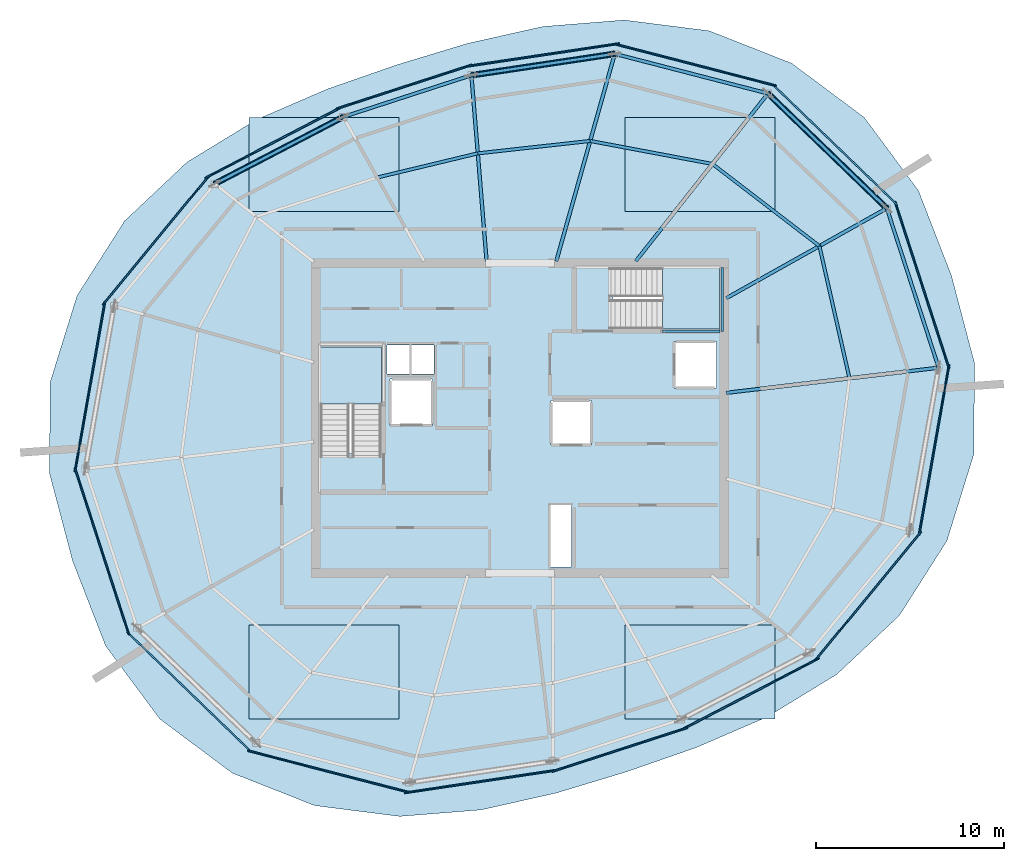
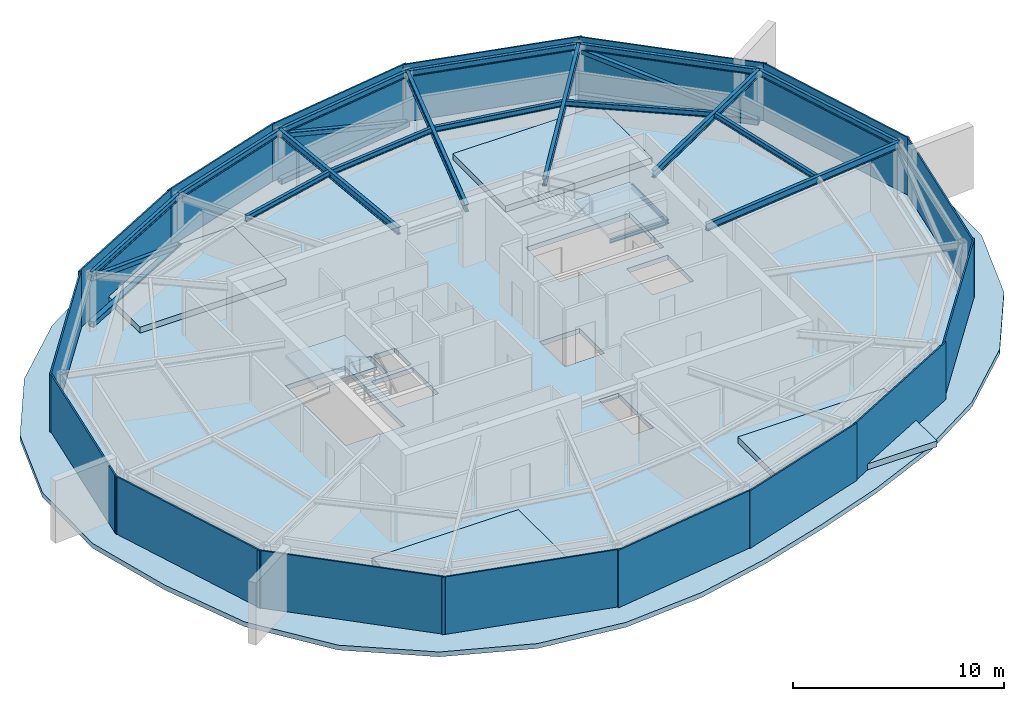
# One storey, part 5 of 10: 18 beams, 16 plates, 7 slabs, 6 members, 2 elements without a shape of their own.
"""IFC4 building model written with IfcOpenShell, lengths in metres."""

from ifc_helpers import new_model, si_unit, direction, frame, origin, origin_2d, place, context, subcontext, project, spatial, polyline, rectangle, hollow_rectangle, i_section, outline, extrude, material, layer, layer_set, material_profile, profile_set, type_object, element, aggregate, save


model = new_model("IFC4")

# Units and contexts
model_context = context("Model", 3, precision=1e-05, world=origin(), true_north=direction((0.0, 1.0)))
body_context = subcontext(model_context, "Body", "Model", "MODEL_VIEW")
ifc_project = project(units=[si_unit("LENGTHUNIT", "METRE"), si_unit("AREAUNIT", "SQUARE_METRE"), si_unit("VOLUMEUNIT", "CUBIC_METRE"), si_unit("PLANEANGLEUNIT", "RADIAN"), si_unit("MASSUNIT", "GRAM", prefix="KILO")], contexts=[model_context])

# Site, building, storey
site_placement = place(None, origin())
site = spatial("IfcSite", under=ifc_project, at=site_placement, CompositionType="ELEMENT")
building_placement = place(site_placement, origin())
building = spatial("IfcBuilding", under=site, at=building_placement, Name="Kazma Halo Residences", CompositionType="ELEMENT")
storey_placement = place(building_placement, frame((0.0, 0.0, 359.60009765625)))
storey = spatial("IfcBuildingStorey", under=building, at=storey_placement, Name="L90", CompositionType="ELEMENT", Elevation=359.60009765625)

# Beams
ifc_material_1 = material(Name="Steel S355", Category="steel")
ifc_material_profile_1 = material_profile(ifc_material_1, i_section(OverallWidth=0.177978515625, OverallDepth=0.406982421875, WebThickness=0.0078125, FlangeThickness=0.0126953125, FilletRadius=0.013916015625, at=origin_2d()), Name="W410x60")
ifc_profile_set_1 = profile_set([ifc_material_profile_1], Name="Steel S355")
beam_type_1 = type_object("IfcBeamType", Name="BM-RAD-W410", PredefinedType="BEAM", material=ifc_profile_set_1)
beam_1_placement = place(storey_placement, frame((59.39990234375, 48.38427734375, 3.116455078125), z_axis=(0.872500487018, 0.488613241894, 0.0), x_axis=(-0.488613241894, 0.872500487018, 0.0)))
element("IfcBeam", 1, at=beam_1_placement, inside=storey, type_object=beam_type_1, Name="L90 radial floor beam 01", PredefinedType="BEAM", context=body_context, shape_type="SweptSolid", body=[
    extrude(i_section(OverallWidth=0.177978515625, OverallDepth=0.406982421875, WebThickness=0.0078125, FlangeThickness=0.0126953125, FilletRadius=0.013916015625, at=origin_2d()), origin(), (0.0, 0.0, 1.0), 9.788818359375),
])
beam_2_placement = place(storey_placement, frame((54.58251953125, 50.35009765625, 3.116455078125), z_axis=(0.619100773028, 0.785311551447, 0.0), x_axis=(-0.785311551447, 0.619100773028, 0.0)))
element("IfcBeam", 2, at=beam_2_placement, inside=storey, type_object=beam_type_1, Name="L90 radial floor beam 02", PredefinedType="BEAM", context=body_context, shape_type="SweptSolid", body=[
    extrude(i_section(OverallWidth=0.177978515625, OverallDepth=0.406982421875, WebThickness=0.0078125, FlangeThickness=0.0126953125, FilletRadius=0.013916015625, at=origin_2d()), origin(), (0.0, 0.0, 1.0), 11.363037109375),
])
beam_3_placement = place(storey_placement, frame((50.35498046875, 50.35009765625, 3.116455078125), z_axis=(0.271433859027, 0.962457095238, 0.0), x_axis=(-0.962457095238, 0.271433859027, 0.0)))
element("IfcBeam", 3, at=beam_3_placement, inside=storey, type_object=beam_type_1, Name="L90 radial floor beam 03", PredefinedType="BEAM", context=body_context, shape_type="SweptSolid", body=[
    extrude(i_section(OverallWidth=0.177978515625, OverallDepth=0.406982421875, WebThickness=0.0078125, FlangeThickness=0.0126953125, FilletRadius=0.013916015625, at=origin_2d()), origin(), (0.0, 0.0, 1.0), 11.462646484375),
])
beam_4_placement = place(storey_placement, frame((46.64990234375, 50.35009765625, 3.116455078125), z_axis=(-0.081506605081, 0.996672801539, 0.0), x_axis=(-0.996672801539, -0.081506605081, 0.0)))
element("IfcBeam", 4, at=beam_4_placement, inside=storey, type_object=beam_type_1, Name="L90 radial floor beam 04", PredefinedType="BEAM", context=body_context, shape_type="SweptSolid", body=[
    extrude(i_section(OverallWidth=0.177978515625, OverallDepth=0.406982421875, WebThickness=0.0078125, FlangeThickness=0.0126953125, FilletRadius=0.013916015625, at=origin_2d()), origin(), (0.0, 0.0, 1.0), 9.926513671875),
])
beam_5_placement = place(storey_placement, frame((59.39990234375, 43.349365234375, 3.116455078125), z_axis=(0.993069497533, 0.117528605327, 0.0), x_axis=(-0.117528605327, 0.993069497533, 0.0)))
element("IfcBeam", 5, at=beam_5_placement, inside=storey, type_object=beam_type_1, Name="L90 radial floor beam 16", PredefinedType="BEAM", context=body_context, shape_type="SweptSolid", body=[
    extrude(i_section(OverallWidth=0.177978515625, OverallDepth=0.406982421875, WebThickness=0.0078125, FlangeThickness=0.0126953125, FilletRadius=0.013916015625, at=origin_2d()), origin(), (0.0, 0.0, 1.0), 11.375244140625),
])
ifc_material_profile_2 = material_profile(ifc_material_1, i_section(OverallWidth=0.1650390625, OverallDepth=0.31005859375, WebThickness=0.005859375, FlangeThickness=0.009765625, FilletRadius=0.011962890625, at=origin_2d()), Name="W310x38.7")
ifc_profile_set_2 = profile_set([ifc_material_profile_2], Name="Steel S355")
beam_type_2 = type_object("IfcBeamType", Name="BM-SEC-W310B", PredefinedType="JOIST", material=ifc_profile_set_2)
beam_6_placement = place(storey_placement, frame((64.353515625, 51.158447265625, 3.164794921875), z_axis=(-0.793314295729, 0.608812309494, 0.0), x_axis=(-0.608812309494, -0.793314295729, 0.0)))
element("IfcBeam", 6, at=beam_6_placement, inside=storey, type_object=beam_type_2, Name="L90 circumferential floor joist 01", PredefinedType="JOIST", context=body_context, shape_type="SweptSolid", body=[
    extrude(i_section(OverallWidth=0.1650390625, OverallDepth=0.31005859375, WebThickness=0.005859375, FlangeThickness=0.009765625, FilletRadius=0.011962890625, at=origin_2d()), origin(), (0.0, 0.0, 1.0), 7.17333984375),
])
beam_7_placement = place(storey_placement, frame((58.662841796875, 55.525634765625, 3.164794921875), z_axis=(-0.982768028721, 0.184843181435, 0.0), x_axis=(-0.184843181435, -0.982768028721, 0.0)))
element("IfcBeam", 7, at=beam_7_placement, inside=storey, type_object=beam_type_2, Name="L90 circumferential floor joist 02", PredefinedType="JOIST", context=body_context, shape_type="SweptSolid", body=[
    extrude(i_section(OverallWidth=0.1650390625, OverallDepth=0.31005859375, WebThickness=0.005859375, FlangeThickness=0.009765625, FilletRadius=0.011962890625, at=origin_2d()), origin(), (0.0, 0.0, 1.0), 6.6171875),
])
beam_8_placement = place(storey_placement, frame((52.15966796875, 56.748779296875, 3.164794921875), z_axis=(-0.993955293014, -0.109785588714, 0.0), x_axis=(0.109785588714, -0.993955293014, 0.0)))
element("IfcBeam", 8, at=beam_8_placement, inside=storey, type_object=beam_type_2, Name="L90 circumferential floor joist 03", PredefinedType="JOIST", context=body_context, shape_type="SweptSolid", body=[
    extrude(i_section(OverallWidth=0.1650390625, OverallDepth=0.31005859375, WebThickness=0.005859375, FlangeThickness=0.009765625, FilletRadius=0.011962890625, at=origin_2d()), origin(), (0.0, 0.0, 1.0), 6.015380859375),
])
beam_9_placement = place(storey_placement, frame((46.1806640625, 56.08837890625, 3.164794921875), z_axis=(-0.972370386067, -0.233443424194, 0.0), x_axis=(0.233443424194, -0.972370386067, 0.0)))
element("IfcBeam", 9, at=beam_9_placement, inside=storey, type_object=beam_type_2, Name="L90 circumferential floor joist 04", PredefinedType="JOIST", context=body_context, shape_type="SweptSolid", body=[
    extrude(i_section(OverallWidth=0.1650390625, OverallDepth=0.31005859375, WebThickness=0.005859375, FlangeThickness=0.009765625, FilletRadius=0.011962890625, at=origin_2d()), origin(), (0.0, 0.0, 1.0), 5.503173828125),
])
beam_10_placement = place(storey_placement, frame((65.951904296875, 44.124755859375, 3.164794921875), z_axis=(-0.221597696416, 0.975138175308, 0.0), x_axis=(-0.975138175308, -0.221597696416, 0.0)))
element("IfcBeam", 10, at=beam_10_placement, inside=storey, type_object=beam_type_2, Name="L90 circumferential floor joist 16", PredefinedType="JOIST", context=body_context, shape_type="SweptSolid", body=[
    extrude(i_section(OverallWidth=0.1650390625, OverallDepth=0.31005859375, WebThickness=0.005859375, FlangeThickness=0.009765625, FilletRadius=0.011962890625, at=origin_2d()), origin(), (0.0, 0.0, 1.0), 7.213134765625),
])
ifc_material_profile_3 = material_profile(ifc_material_1, i_section(OverallWidth=0.1708984375, OverallDepth=0.35498046875, WebThickness=0.007080078125, FlangeThickness=0.01171875, FilletRadius=0.013916015625, at=origin_2d()), Name="W360x51")
ifc_profile_set_3 = profile_set([ifc_material_profile_3], Name="Steel S355")
beam_type_3 = type_object("IfcBeamType", Name="BM-SPN-W360", PredefinedType="BEAM", material=ifc_profile_set_3)
beam_11_placement = place(storey_placement, frame((67.940673828125, 53.167236328125, 3.142333984375), z_axis=(-0.719330630477, 0.694667866003, 0.0), x_axis=(-0.694667866003, -0.719330630477, 0.0)))
element("IfcBeam", 11, at=beam_11_placement, inside=storey, type_object=beam_type_3, Name="L90 CROWN FRAME ring beam 01", PredefinedType="BEAM", context=body_context, shape_type="SweptSolid", body=[
    extrude(i_section(OverallWidth=0.1708984375, OverallDepth=0.35498046875, WebThickness=0.007080078125, FlangeThickness=0.01171875, FilletRadius=0.013916015625, at=origin_2d()), origin(), (0.0, 0.0, 1.0), 8.79052734375),
])
beam_12_placement = place(storey_placement, frame((61.617431640625, 59.273681640625, 3.142333984375), z_axis=(-0.968129821283, 0.250448895271, 0.0), x_axis=(-0.250448895271, -0.968129821283, 0.0)))
element("IfcBeam", 12, at=beam_12_placement, inside=storey, type_object=beam_type_3, Name="L90 CROWN FRAME ring beam 02", PredefinedType="BEAM", context=body_context, shape_type="SweptSolid", body=[
    extrude(i_section(OverallWidth=0.1708984375, OverallDepth=0.35498046875, WebThickness=0.007080078125, FlangeThickness=0.01171875, FilletRadius=0.013916015625, at=origin_2d()), origin(), (0.0, 0.0, 1.0), 8.41943359375),
])
beam_13_placement = place(storey_placement, frame((53.46630859375, 61.38232421875, 3.142333984375), z_axis=(-0.989034152337, -0.147686984904, 0.0), x_axis=(0.147686984904, -0.989034152337, 0.0)))
element("IfcBeam", 13, at=beam_13_placement, inside=storey, type_object=beam_type_3, Name="L90 CROWN FRAME ring beam 03", PredefinedType="BEAM", context=body_context, shape_type="SweptSolid", body=[
    extrude(i_section(OverallWidth=0.1708984375, OverallDepth=0.35498046875, WebThickness=0.007080078125, FlangeThickness=0.01171875, FilletRadius=0.013916015625, at=origin_2d()), origin(), (0.0, 0.0, 1.0), 7.7099609375),
])
beam_14_placement = place(storey_placement, frame((45.8408203125, 60.24365234375, 3.142333984375), z_axis=(-0.951067102, -0.308984413026, 0.0), x_axis=(0.308984413026, -0.951067102, 0.0)))
element("IfcBeam", 14, at=beam_14_placement, inside=storey, type_object=beam_type_3, Name="L90 CROWN FRAME ring beam 04", PredefinedType="BEAM", context=body_context, shape_type="SweptSolid", body=[
    extrude(i_section(OverallWidth=0.1708984375, OverallDepth=0.35498046875, WebThickness=0.007080078125, FlangeThickness=0.01171875, FilletRadius=0.013916015625, at=origin_2d()), origin(), (0.0, 0.0, 1.0), 7.168212890625),
])
beam_15_placement = place(storey_placement, frame((39.0234375, 58.02880859375, 3.142333984375), z_axis=(-0.886940838721, -0.461883046461, 0.0), x_axis=(0.461883046461, -0.886940838721, 0.0)))
element("IfcBeam", 15, at=beam_15_placement, inside=storey, type_object=beam_type_3, Name="L90 CROWN FRAME ring beam 05", PredefinedType="BEAM", context=body_context, shape_type="SweptSolid", body=[
    extrude(i_section(OverallWidth=0.1708984375, OverallDepth=0.35498046875, WebThickness=0.007080078125, FlangeThickness=0.01171875, FilletRadius=0.013916015625, at=origin_2d()), origin(), (0.0, 0.0, 1.0), 7.71044921875),
])
beam_16_placement = place(storey_placement, frame((70.6962890625, 44.686279296875, 3.142333984375), z_axis=(-0.309015498459, 0.951057002346, 0.0), x_axis=(-0.951057002346, -0.309015498459, 0.0)))
element("IfcBeam", 16, at=beam_16_placement, inside=storey, type_object=beam_type_3, Name="L90 CROWN FRAME ring beam 16", PredefinedType="BEAM", context=body_context, shape_type="SweptSolid", body=[
    extrude(i_section(OverallWidth=0.1708984375, OverallDepth=0.35498046875, WebThickness=0.007080078125, FlangeThickness=0.01171875, FilletRadius=0.013916015625, at=origin_2d()), origin(), (0.0, 0.0, 1.0), 8.91748046875),
])
ifc_material_profile_4 = material_profile(ifc_material_1, i_section(OverallWidth=0.133056640625, OverallDepth=0.20703125, WebThickness=0.005859375, FlangeThickness=0.00830078125, FilletRadius=0.010009765625, at=origin_2d()), Name="W200x26.6")
ifc_profile_set_4 = profile_set([ifc_material_profile_4], Name="Steel S355")
beam_type_4 = type_object("IfcBeamType", Name="BM-TRIM-W200", PredefinedType="BEAM", material=ifc_profile_set_4)
beam_17_placement = place(storey_placement, frame((56.0, 46.6201171875, 1.494873046875), z_axis=(1.0, 0.0, 0.0), x_axis=(0.0, 1.0, 0.0)))
element("IfcBeam", 17, at=beam_17_placement, inside=storey, type_object=beam_type_4, Name="L90 ST-02 landing south wall ledger", PredefinedType="BEAM", context=body_context, shape_type="SweptSolid", body=[
    extrude(i_section(OverallWidth=0.133056640625, OverallDepth=0.20703125, WebThickness=0.005859375, FlangeThickness=0.00830078125, FilletRadius=0.010009765625, at=origin_2d()), origin(), (0.0, 0.0, 1.0), 3.070068359375),
])
beam_18_placement = place(storey_placement, frame((59.18994140625, 46.6201171875, 1.494873046875), z_axis=(0.0, 1.0, 0.0), x_axis=(-1.0, 0.0, 0.0)))
element("IfcBeam", 18, at=beam_18_placement, inside=storey, type_object=beam_type_4, Name="L90 ST-02 landing end wall ledger", PredefinedType="BEAM", context=body_context, shape_type="SweptSolid", body=[
    extrude(i_section(OverallWidth=0.133056640625, OverallDepth=0.20703125, WebThickness=0.005859375, FlangeThickness=0.00830078125, FilletRadius=0.010009765625, at=origin_2d()), origin(), (0.0, 0.0, 1.0), 3.39990234375),
])

# Members
ifc_material_profile_5 = material_profile(ifc_material_1, hollow_rectangle(XDim=0.25, YDim=0.25, WallThickness=0.010009765625, InnerFilletRadius=0.010009765625, OuterFilletRadius=0.02001953125, at=origin_2d()), Name="SHS250x250x10")
ifc_profile_set_5 = profile_set([ifc_material_profile_5], Name="Steel S355")
member_type_1 = type_object("IfcMemberType", Name="MBR-CRWN-SHS250", PredefinedType="BRACE", material=ifc_profile_set_5)
member_1_placement = place(storey_placement, frame((67.940673828125, 53.167236328125, 0.27978515625), z_axis=(-0.688495555303, 0.664889993407, 0.289646624347), x_axis=(-0.694667866003, -0.719330630477, 0.0)))
element("IfcMember", 19, at=member_1_placement, inside=storey, type_object=member_type_1, Name="L90 CROWN FRAME diagonal brace 01", PredefinedType="BRACE", context=body_context, shape_type="SweptSolid", body=[
    extrude(hollow_rectangle(XDim=0.25, YDim=0.25, WallThickness=0.010009765625, InnerFilletRadius=0.010009765625, OuterFilletRadius=0.02001953125, at=origin_2d()), origin(), (0.0, 0.0, 1.0), 9.18408203125),
])
member_2_placement = place(storey_placement, frame((53.46630859375, 61.38232421875, 0.27978515625), z_axis=(-0.934949220424, -0.13961078197, 0.326157607279), x_axis=(0.147686984904, -0.989034152337, 0.0)))
element("IfcMember", 20, at=member_2_placement, inside=storey, type_object=member_type_1, Name="L90 CROWN FRAME diagonal brace 03", PredefinedType="BRACE", context=body_context, shape_type="SweptSolid", body=[
    extrude(hollow_rectangle(XDim=0.25, YDim=0.25, WallThickness=0.010009765625, InnerFilletRadius=0.010009765625, OuterFilletRadius=0.02001953125, at=origin_2d()), origin(), (0.0, 0.0, 1.0), 8.156005859375),
])
member_3_placement = place(storey_placement, frame((39.0234375, 58.02880859375, 0.27978515625), z_axis=(-0.838442461731, -0.436627046135, 0.326145766414), x_axis=(0.461883046461, -0.886940838721, 0.0)))
element("IfcMember", 21, at=member_3_placement, inside=storey, type_object=member_type_1, Name="L90 CROWN FRAME diagonal brace 05", PredefinedType="BRACE", context=body_context, shape_type="SweptSolid", body=[
    extrude(hollow_rectangle(XDim=0.25, YDim=0.25, WallThickness=0.010009765625, InnerFilletRadius=0.010009765625, OuterFilletRadius=0.02001953125, at=origin_2d()), origin(), (0.0, 0.0, 1.0), 8.15625),
])
ifc_material_profile_6 = material_profile(ifc_material_1, hollow_rectangle(XDim=0.300048828125, YDim=0.300048828125, WallThickness=0.012451171875, InnerFilletRadius=0.012451171875, OuterFilletRadius=0.02490234375, at=origin_2d()), Name="SHS300x300x12.5")
ifc_profile_set_6 = profile_set([ifc_material_profile_6], Name="Steel S355")
member_type_2 = type_object("IfcMemberType", Name="MBR-CRWN-SHS300", PredefinedType="CHORD", material=ifc_profile_set_6)
member_4_placement = place(storey_placement, frame((67.940673828125, 53.167236328125, 0.27978515625), z_axis=(-0.719330630477, 0.694667866003, 0.0), x_axis=(-0.694667866003, -0.719330630477, 0.0)))
element("IfcMember", 22, at=member_4_placement, inside=storey, type_object=member_type_2, Name="L90 CROWN FRAME horizontal ring chord 01", PredefinedType="CHORD", context=body_context, shape_type="SweptSolid", body=[
    extrude(hollow_rectangle(XDim=0.300048828125, YDim=0.300048828125, WallThickness=0.012451171875, InnerFilletRadius=0.012451171875, OuterFilletRadius=0.02490234375, at=origin_2d()), origin(), (0.0, 0.0, 1.0), 8.79052734375),
])
member_5_placement = place(storey_placement, frame((53.46630859375, 61.38232421875, 0.27978515625), z_axis=(-0.989034152337, -0.147686984904, 0.0), x_axis=(0.147686984904, -0.989034152337, 0.0)))
element("IfcMember", 23, at=member_5_placement, inside=storey, type_object=member_type_2, Name="L90 CROWN FRAME horizontal ring chord 03", PredefinedType="CHORD", context=body_context, shape_type="SweptSolid", body=[
    extrude(hollow_rectangle(XDim=0.300048828125, YDim=0.300048828125, WallThickness=0.012451171875, InnerFilletRadius=0.012451171875, OuterFilletRadius=0.02490234375, at=origin_2d()), origin(), (0.0, 0.0, 1.0), 7.7099609375),
])
member_6_placement = place(storey_placement, frame((39.0234375, 58.02880859375, 0.27978515625), z_axis=(-0.886940838721, -0.461883046461, 0.0), x_axis=(0.461883046461, -0.886940838721, 0.0)))
element("IfcMember", 24, at=member_6_placement, inside=storey, type_object=member_type_2, Name="L90 CROWN FRAME horizontal ring chord 05", PredefinedType="CHORD", context=body_context, shape_type="SweptSolid", body=[
    extrude(hollow_rectangle(XDim=0.300048828125, YDim=0.300048828125, WallThickness=0.012451171875, InnerFilletRadius=0.012451171875, OuterFilletRadius=0.02490234375, at=origin_2d()), origin(), (0.0, 0.0, 1.0), 7.71044921875),
])

# Plates
ifc_material_2 = material(Name="Aluminium AW-6063 T6 Perforated Acoustic Louvre Screen", Category="aluminium")
ifc_layer_1 = layer(ifc_material_2, 0.080078125)
ifc_layer_set_1 = layer_set([ifc_layer_1], Name="Aluminium AW-6063 T6 Perforated Acoustic Louvre Screen")
plate_type = type_object("IfcPlateType", Name="PLT-CROWN-LOUVRE", PredefinedType="SHEET", material=ifc_layer_set_1)
plate_1_placement = place(storey_placement, frame((65.17578125, 56.556640625, 0.0), z_axis=(0.0, 0.0, 1.0), x_axis=(-0.719342064482, 0.694656025863, 0.0)))
element("IfcPlate", 25, at=plate_1_placement, inside=storey, type_object=plate_type, Name="L90 pale-metal acoustic louvre screen 01", PredefinedType="SHEET", context=body_context, shape_type="SweptSolid", body=[
    extrude(rectangle(XDim=9.1904296875, YDim=0.080078125, at=origin_2d()), origin(), (0.0, 0.0, 1.0), 3.320068359375),
])
plate_2_placement = place(storey_placement, frame((57.781982421875, 60.789306640625, 0.0), z_axis=(0.0, 0.0, 1.0), x_axis=(-0.968124370805, 0.250469963576, 0.0)))
element("IfcPlate", 26, at=plate_2_placement, inside=storey, type_object=plate_type, Name="L90 pale-metal acoustic louvre screen 02", PredefinedType="SHEET", context=body_context, shape_type="SweptSolid", body=[
    extrude(rectangle(XDim=8.8193359375, YDim=0.080078125, at=origin_2d()), origin(), (0.0, 0.0, 1.0), 3.320068359375),
])
plate_3_placement = place(storey_placement, frame((49.69921875, 61.3310546875, 0.0), z_axis=(0.0, 0.0, 1.0), x_axis=(-0.98903421845, -0.147686542161, 0.0)))
element("IfcPlate", 27, at=plate_3_placement, inside=storey, type_object=plate_type, Name="L90 pale-metal acoustic louvre screen 03", PredefinedType="SHEET", context=body_context, shape_type="SweptSolid", body=[
    extrude(rectangle(XDim=8.110107421875, YDim=0.080078125, at=origin_2d()), origin(), (0.0, 0.0, 1.0), 3.320068359375),
])
plate_4_placement = place(storey_placement, frame((42.271484375, 59.630615234375, 0.0), z_axis=(0.0, 0.0, 1.0), x_axis=(-0.951058260985, -0.309011624721, 0.0)))
element("IfcPlate", 28, at=plate_4_placement, inside=storey, type_object=plate_type, Name="L90 pale-metal acoustic louvre screen 04", PredefinedType="SHEET", context=body_context, shape_type="SweptSolid", body=[
    extrude(rectangle(XDim=7.568115234375, YDim=0.080078125, at=origin_2d()), origin(), (0.0, 0.0, 1.0), 3.320068359375),
])
plate_5_placement = place(storey_placement, frame((35.262939453125, 56.640380859375, 0.0), z_axis=(0.0, 0.0, 1.0), x_axis=(-0.886949727325, -0.461865977529, 0.0)))
element("IfcPlate", 29, at=plate_5_placement, inside=storey, type_object=plate_type, Name="L90 pale-metal acoustic louvre screen 05", PredefinedType="SHEET", context=body_context, shape_type="SweptSolid", body=[
    extrude(rectangle(XDim=8.110107421875, YDim=0.080078125, at=origin_2d()), origin(), (0.0, 0.0, 1.0), 3.320068359375),
])
plate_6_placement = place(storey_placement, frame((29.0419921875, 51.451171875, 0.0), z_axis=(0.0, 0.0, 1.0), x_axis=(-0.636007787073, -0.771682638643, 0.0)))
element("IfcPlate", 30, at=plate_6_placement, inside=storey, type_object=plate_type, Name="L90 pale-metal acoustic louvre screen 06", PredefinedType="SHEET", context=body_context, shape_type="SweptSolid", body=[
    extrude(rectangle(XDim=8.8193359375, YDim=0.080078125, at=origin_2d()), origin(), (0.0, 0.0, 1.0), 3.320068359375),
])
plate_7_placement = place(storey_placement, frame((25.54833984375, 43.680908203125, 0.0), z_axis=(0.0, 0.0, 1.0), x_axis=(-0.173656186938, -0.984806340728, 0.0)))
element("IfcPlate", 31, at=plate_7_placement, inside=storey, type_object=plate_type, Name="L90 pale-metal acoustic louvre screen 07", PredefinedType="SHEET", context=body_context, shape_type="SweptSolid", body=[
    extrude(rectangle(XDim=9.1904296875, YDim=0.080078125, at=origin_2d()), origin(), (0.0, 0.0, 1.0), 3.320068359375),
])
plate_8_placement = place(storey_placement, frame((26.18701171875, 34.91259765625, 0.0), z_axis=(0.0, 0.0, 1.0), x_axis=(0.309022680214, -0.951054668835, 0.0)))
element("IfcPlate", 32, at=plate_8_placement, inside=storey, type_object=plate_type, Name="L90 pale-metal acoustic louvre screen 08", PredefinedType="SHEET", context=body_context, shape_type="SweptSolid", body=[
    extrude(rectangle(XDim=9.3173828125, YDim=0.080078125, at=origin_2d()), origin(), (0.0, 0.0, 1.0), 3.320068359375),
])
plate_9_placement = place(storey_placement, frame((30.82421875, 27.443359375, 0.0), z_axis=(0.0, 0.0, 1.0), x_axis=(0.719342064482, -0.694656025863, 0.0)))
element("IfcPlate", 33, at=plate_9_placement, inside=storey, type_object=plate_type, Name="L90 pale-metal acoustic louvre screen 09", PredefinedType="SHEET", context=body_context, shape_type="SweptSolid", body=[
    extrude(rectangle(XDim=9.1904296875, YDim=0.080078125, at=origin_2d()), origin(), (0.0, 0.0, 1.0), 3.320068359375),
])
plate_10_placement = place(storey_placement, frame((38.218017578125, 23.210693359375, 0.0), z_axis=(0.0, 0.0, 1.0), x_axis=(0.968124370805, -0.250469963576, 0.0)))
element("IfcPlate", 34, at=plate_10_placement, inside=storey, type_object=plate_type, Name="L90 pale-metal acoustic louvre screen 10", PredefinedType="SHEET", context=body_context, shape_type="SweptSolid", body=[
    extrude(rectangle(XDim=8.8193359375, YDim=0.080078125, at=origin_2d()), origin(), (0.0, 0.0, 1.0), 3.320068359375),
])
plate_11_placement = place(storey_placement, frame((46.30078125, 22.6689453125, 0.0), z_axis=(0.0, 0.0, 1.0), x_axis=(0.98903421845, 0.147686542161, 0.0)))
element("IfcPlate", 35, at=plate_11_placement, inside=storey, type_object=plate_type, Name="L90 pale-metal acoustic louvre screen 11", PredefinedType="SHEET", context=body_context, shape_type="SweptSolid", body=[
    extrude(rectangle(XDim=8.110107421875, YDim=0.080078125, at=origin_2d()), origin(), (0.0, 0.0, 1.0), 3.320068359375),
])
plate_12_placement = place(storey_placement, frame((53.728515625, 24.369384765625, 0.0), z_axis=(0.0, 0.0, 1.0), x_axis=(0.951058260985, 0.309011624721, 0.0)))
element("IfcPlate", 36, at=plate_12_placement, inside=storey, type_object=plate_type, Name="L90 pale-metal acoustic louvre screen 12", PredefinedType="SHEET", context=body_context, shape_type="SweptSolid", body=[
    extrude(rectangle(XDim=7.568115234375, YDim=0.080078125, at=origin_2d()), origin(), (0.0, 0.0, 1.0), 3.320068359375),
])
plate_13_placement = place(storey_placement, frame((60.737060546875, 27.359619140625, 0.0), z_axis=(0.0, 0.0, 1.0), x_axis=(0.886949727325, 0.461865977529, 0.0)))
element("IfcPlate", 37, at=plate_13_placement, inside=storey, type_object=plate_type, Name="L90 pale-metal acoustic louvre screen 13", PredefinedType="SHEET", context=body_context, shape_type="SweptSolid", body=[
    extrude(rectangle(XDim=8.110107421875, YDim=0.080078125, at=origin_2d()), origin(), (0.0, 0.0, 1.0), 3.320068359375),
])
plate_14_placement = place(storey_placement, frame((66.9580078125, 32.548828125, 0.0), z_axis=(0.0, 0.0, 1.0), x_axis=(0.636007787073, 0.771682638643, 0.0)))
element("IfcPlate", 38, at=plate_14_placement, inside=storey, type_object=plate_type, Name="L90 pale-metal acoustic louvre screen 14", PredefinedType="SHEET", context=body_context, shape_type="SweptSolid", body=[
    extrude(rectangle(XDim=8.8193359375, YDim=0.080078125, at=origin_2d()), origin(), (0.0, 0.0, 1.0), 3.320068359375),
])
plate_15_placement = place(storey_placement, frame((70.45166015625, 40.319091796875, 0.0), z_axis=(0.0, 0.0, 1.0), x_axis=(0.173656186938, 0.984806340728, 0.0)))
element("IfcPlate", 39, at=plate_15_placement, inside=storey, type_object=plate_type, Name="L90 pale-metal acoustic louvre screen 15", PredefinedType="SHEET", context=body_context, shape_type="SweptSolid", body=[
    extrude(rectangle(XDim=9.1904296875, YDim=0.080078125, at=origin_2d()), origin(), (0.0, 0.0, 1.0), 3.320068359375),
])
plate_16_placement = place(storey_placement, frame((69.81298828125, 49.08740234375, 0.0), z_axis=(0.0, 0.0, 1.0), x_axis=(-0.309022680214, 0.951054668835, 0.0)))
element("IfcPlate", 40, at=plate_16_placement, inside=storey, type_object=plate_type, Name="L90 pale-metal acoustic louvre screen 16", PredefinedType="SHEET", context=body_context, shape_type="SweptSolid", body=[
    extrude(rectangle(XDim=9.3173828125, YDim=0.080078125, at=origin_2d()), origin(), (0.0, 0.0, 1.0), 3.320068359375),
])

# Slabs
ifc_material_3 = material(Name="Concrete C50/60", Category="concrete")
ifc_layer_2 = layer(ifc_material_3, 0.280029296875)
ifc_layer_set_2 = layer_set([ifc_layer_2], Name="Concrete C50/60")
slab_type_1 = type_object("IfcSlabType", Name="SLB-MEP-280", PredefinedType="FLOOR", material=ifc_layer_set_2)
slab_1_placement = place(storey_placement, frame((0.0, 0.0, -0.280029296875)))
element("IfcSlab", 41, at=slab_1_placement, inside=storey, type_object=slab_type_1, Name="L90 structural floor slab", PredefinedType="FLOOR", context=body_context, shape_type="SweptSolid", body=[
    extrude(outline(polyline([(71.375, 49.594970703125), (69.62158203125, 54.108642578125), (66.736572265625, 58.00244140625), (62.88232421875, 60.878173828125), (58.49951171875, 62.606201171875), (53.97412109375, 63.18310546875), (49.639892578125, 62.836181640625), (45.64013671875, 61.9384765625), (41.889892578125, 60.80517578125), (38.189697265625, 59.517578125), (34.426025390625, 57.89306640625), (30.7158203125, 55.625732421875), (27.393798828125, 52.49951171875), (24.863525390625, 48.525146484375), (23.435791015625, 43.93310546875), (23.390380859375, 39.08740234375), (24.625, 34.405029296875), (26.37841796875, 29.891357421875), (29.263427734375, 25.99755859375), (33.11767578125, 23.121826171875), (37.50048828125, 21.393798828125), (42.02587890625, 20.81689453125), (46.360107421875, 21.163818359375), (50.35986328125, 22.0615234375), (54.110107421875, 23.19482421875), (57.810302734375, 24.482421875), (61.573974609375, 26.10693359375), (65.2841796875, 28.374267578125), (68.606201171875, 31.50048828125), (71.136474609375, 35.474853515625), (72.564208984375, 40.06689453125), (72.609619140625, 44.91259765625), (71.375, 49.594970703125)]), holes=[polyline([(37.800048828125, 40.110107421875), (41.050048828125, 40.110107421875), (41.050048828125, 45.800048828125), (37.800048828125, 45.800048828125), (37.800048828125, 40.110107421875)]), polyline([(53.360107421875, 46.75), (59.050048828125, 46.75), (59.050048828125, 50.0), (53.360107421875, 50.0), (53.360107421875, 46.75)]), polyline([(41.52001953125, 41.6201171875), (43.780029296875, 41.6201171875), (43.780029296875, 44.080078125), (41.52001953125, 44.080078125), (41.52001953125, 41.6201171875)]), polyline([(56.6201171875, 43.6201171875), (58.8798828125, 43.6201171875), (58.8798828125, 46.080078125), (56.6201171875, 46.080078125), (56.6201171875, 43.6201171875)]), polyline([(50.070068359375, 40.570068359375), (52.22998046875, 40.570068359375), (52.22998046875, 42.929931640625), (50.070068359375, 42.929931640625), (50.070068359375, 40.570068359375)]), polyline([(41.360107421875, 44.340087890625), (42.5400390625, 44.340087890625), (42.5400390625, 45.89990234375), (41.360107421875, 45.89990234375), (41.360107421875, 44.340087890625)]), polyline([(42.659912109375, 44.340087890625), (43.840087890625, 44.340087890625), (43.840087890625, 45.89990234375), (42.659912109375, 45.89990234375), (42.659912109375, 44.340087890625)]), polyline([(50.06005859375, 34.080078125), (51.159912109375, 34.080078125), (51.159912109375, 37.3798828125), (50.06005859375, 37.3798828125), (50.06005859375, 34.080078125)])]), origin(), (0.0, 0.0, 1.0), 0.280029296875),
])
ifc_layer_3 = layer(ifc_material_3, 0.35009765625)
ifc_layer_set_3 = layer_set([ifc_layer_3], Name="Concrete C50/60")
slab_type_2 = type_object("IfcSlabType", Name="SLB-PLINTH-350", PredefinedType="FLOOR", material=ifc_layer_set_3)
slab_2_placement = place(storey_placement, origin())
element("IfcSlab", 42, at=slab_2_placement, inside=storey, type_object=slab_type_2, Name="L90 mechanical chiller and cooling-tower plinth 1", PredefinedType="FLOOR", context=body_context, shape_type="SweptSolid", body=[
    extrude(outline(polyline([(34.0, 26.0), (42.0, 26.0), (42.0, 31.0), (34.0, 31.0), (34.0, 26.0)])), origin(), (0.0, 0.0, 1.0), 0.349853515625),
])
slab_3_placement = place(storey_placement, origin())
element("IfcSlab", 43, at=slab_3_placement, inside=storey, type_object=slab_type_2, Name="L90 mechanical chiller and cooling-tower plinth 2", PredefinedType="FLOOR", context=body_context, shape_type="SweptSolid", body=[
    extrude(outline(polyline([(54.0, 26.0), (62.0, 26.0), (62.0, 31.0), (54.0, 31.0), (54.0, 26.0)])), origin(), (0.0, 0.0, 1.0), 0.349853515625),
])
slab_4_placement = place(storey_placement, origin())
element("IfcSlab", 44, at=slab_4_placement, inside=storey, type_object=slab_type_2, Name="L90 mechanical chiller and cooling-tower plinth 3", PredefinedType="FLOOR", context=body_context, shape_type="SweptSolid", body=[
    extrude(outline(polyline([(34.0, 53.0), (42.0, 53.0), (42.0, 58.0), (34.0, 58.0), (34.0, 53.0)])), origin(), (0.0, 0.0, 1.0), 0.349853515625),
])
slab_5_placement = place(storey_placement, origin())
element("IfcSlab", 45, at=slab_5_placement, inside=storey, type_object=slab_type_2, Name="L90 mechanical chiller and cooling-tower plinth 4", PredefinedType="FLOOR", context=body_context, shape_type="SweptSolid", body=[
    extrude(outline(polyline([(54.0, 53.0), (62.0, 53.0), (62.0, 58.0), (54.0, 58.0), (54.0, 53.0)])), origin(), (0.0, 0.0, 1.0), 0.349853515625),
])

# Stair, slab
stair_type = type_object("IfcStairType", Name="STR-CRWN", PredefinedType="HALF_TURN_STAIR", material=ifc_material_3)
stair_1_placement = place(storey_placement, origin())
stair_1 = element("IfcStair", 46, at=stair_1_placement, inside=storey, type_object=stair_type, Name="L90 Core exit stair ST-01", PredefinedType="HALF_TURN_STAIR")
ifc_layer_4 = layer(ifc_material_3, 0.199951171875)
ifc_layer_set_4 = layer_set([ifc_layer_4], Name="Concrete C50/60")
slab_type_3 = type_object("IfcSlabType", Name="SLB-STAIR-LND-200", PredefinedType="LANDING", material=ifc_layer_set_4)
slab_6_placement = place(storey_placement, frame((0.0, 0.0, 1.599853515625)))
slab_6 = element("IfcSlab", 47, at=slab_6_placement, type_object=slab_type_3, Name="ST-01 landing 1", PredefinedType="LANDING", context=body_context, shape_type="SweptSolid", body=[
    extrude(outline(polyline([(41.050048828125, 42.75), (41.050048828125, 45.800048828125), (37.800048828125, 45.800048828125), (37.800048828125, 42.75), (41.050048828125, 42.75)])), origin(), (0.0, 0.0, 1.0), 0.199951171875),
])
aggregate(stair_1, [slab_6])

stair_2_placement = place(storey_placement, origin())
stair_2 = element("IfcStair", 48, at=stair_2_placement, inside=storey, type_object=stair_type, Name="L90 Core exit stair ST-02", PredefinedType="HALF_TURN_STAIR")
slab_7_placement = place(storey_placement, frame((0.0, 0.0, 1.599853515625)))
slab_7 = element("IfcSlab", 49, at=slab_7_placement, type_object=slab_type_3, Name="ST-02 landing 1", PredefinedType="LANDING", context=body_context, shape_type="SweptSolid", body=[
    extrude(outline(polyline([(56.0, 46.75), (59.050048828125, 46.75), (59.050048828125, 50.0), (56.0, 50.0), (56.0, 46.75)])), origin(), (0.0, 0.0, 1.0), 0.199951171875),
])
aggregate(stair_2, [slab_7])

save(model, "model.ifc")
